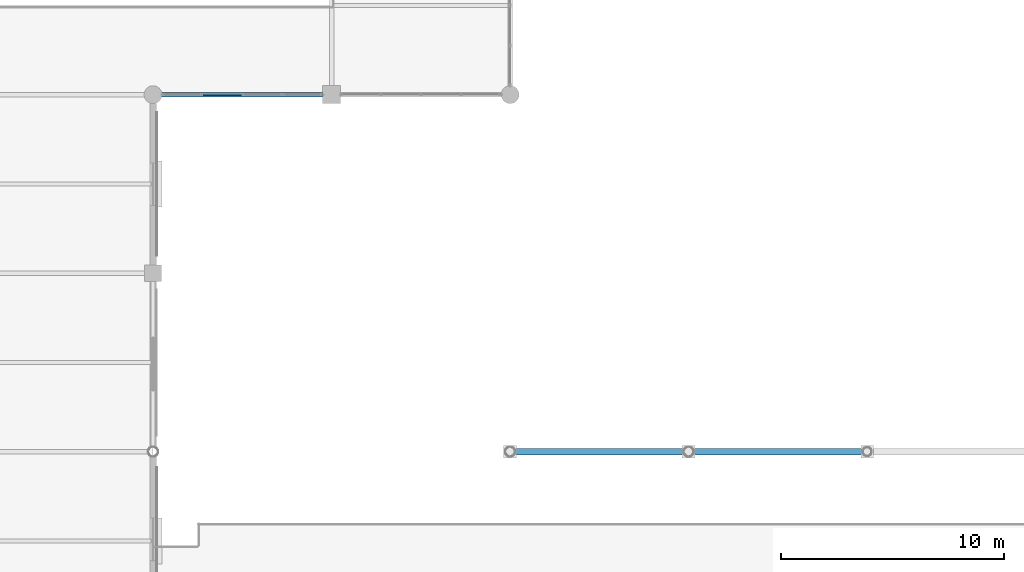
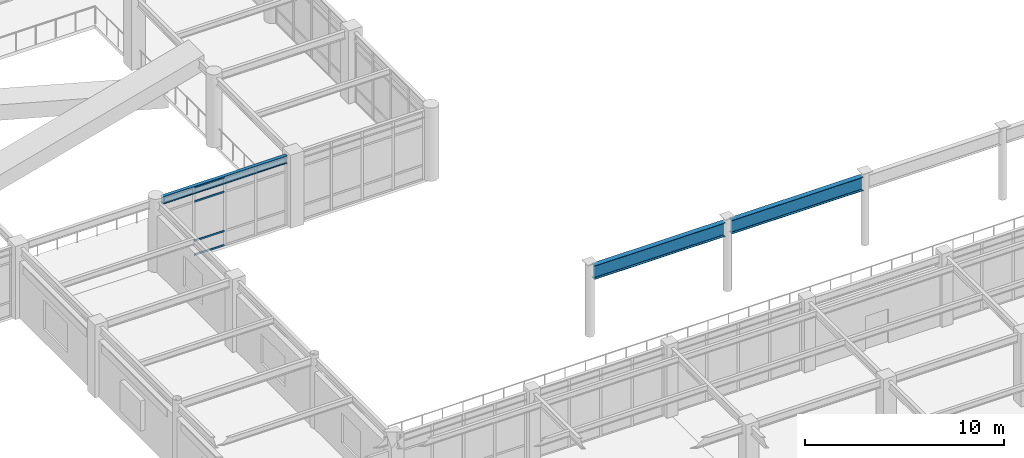
# One storey, part 30 of 78: 4 members, 3 beams, 1 element without a shape of its own.
"""IFC4 building model written with IfcOpenShell, lengths in metres."""

from ifc_helpers import new_model, si_unit, direction, frame, origin, origin_2d, place, context, subcontext, project, spatial, hollow_rectangle, i_section, extrude, material, material_profile, profile_set, type_object, element, aggregate, save


model = new_model("IFC4")

# Units and contexts
model_context = context("Model", 3, precision=1e-05, world=origin(), true_north=direction((0.0, 1.0)))
body_context = subcontext(model_context, "Body", "Model", "MODEL_VIEW")
ifc_project = project(units=[si_unit("LENGTHUNIT", "METRE"), si_unit("AREAUNIT", "SQUARE_METRE"), si_unit("VOLUMEUNIT", "CUBIC_METRE"), si_unit("PLANEANGLEUNIT", "RADIAN"), si_unit("MASSUNIT", "GRAM", prefix="KILO")], contexts=[model_context])

# Site, building, storey
site_placement = place(None, origin())
site = spatial("IfcSite", under=ifc_project, at=site_placement, CompositionType="ELEMENT")
building_placement = place(site_placement, origin())
building = spatial("IfcBuilding", under=site, at=building_placement, Name="Solmirada Galleria", CompositionType="ELEMENT")
storey_placement = place(building_placement, frame((0.0, 0.0, 23.89990234375)))
storey = spatial("IfcBuildingStorey", under=building, at=storey_placement, Name="L05", CompositionType="ELEMENT", Elevation=23.89990234375)

# Beams
ifc_material_1 = material(Name="Steel S355 / ASTM A992 Grade 50", Category="steel")
ifc_material_profile_1 = material_profile(ifc_material_1, i_section(OverallWidth=0.194091796875, OverallDepth=0.468994140625, WebThickness=0.0126953125, FlangeThickness=0.0205078125, FilletRadius=0.013916015625, at=origin_2d()), Name="W18X71")
ifc_profile_set_1 = profile_set([ifc_material_profile_1], Name="Steel S355 / ASTM A992 Grade 50")
beam_type_1 = type_object("IfcBeamType", Name="BM-GIRD-W18B", PredefinedType="BEAM", material=ifc_profile_set_1)
beam_1_placement = place(storey_placement, frame((96.3359375, 48.0, 4.065673828125), z_axis=(1.0, 0.0, 0.0), x_axis=(0.0, 1.0, 0.0)))
element("IfcBeam", 1, at=beam_1_placement, inside=storey, type_object=beam_type_1, Name="Primary beam L06 X(96..104, 48)", PredefinedType="BEAM", context=body_context, shape_type="SweptSolid", body=[
    extrude(i_section(OverallWidth=0.194091796875, OverallDepth=0.468994140625, WebThickness=0.0126953125, FlangeThickness=0.0205078125, FilletRadius=0.013916015625, at=origin_2d()), origin(), (0.0, 0.0, 1.0), 7.26416015625),
])
ifc_material_profile_2 = material_profile(ifc_material_1, i_section(OverallWidth=0.2919921875, OverallDepth=0.841064453125, WebThickness=0.0146484375, FlangeThickness=0.021728515625, FilletRadius=0.01904296875, at=origin_2d()), Name="W33X130")
ifc_profile_set_2 = profile_set([ifc_material_profile_2], Name="Steel S355 / ASTM A992 Grade 50")
beam_type_2 = type_object("IfcBeamType", Name="BM-VAULT-RING3", PredefinedType="BEAM", material=ifc_profile_set_2)
beam_2_placement = place(storey_placement, frame((112.19189453125, 32.0, 3.819580078125), z_axis=(1.0, 0.0, 0.0), x_axis=(0.0, 1.0, 0.0)))
element("IfcBeam", 2, at=beam_2_placement, inside=storey, type_object=beam_type_2, Name="Barrel vault springing collector girder S X=112..120", PredefinedType="BEAM", context=body_context, shape_type="SweptSolid", body=[
    extrude(i_section(OverallWidth=0.2919921875, OverallDepth=0.841064453125, WebThickness=0.0146484375, FlangeThickness=0.021728515625, FilletRadius=0.01904296875, at=origin_2d()), origin(), (0.0, 0.0, 1.0), 7.6162109375),
])
beam_3_placement = place(storey_placement, frame((120.19189453125, 32.0, 3.819580078125), z_axis=(1.0, 0.0, 0.0), x_axis=(0.0, 1.0, 0.0)))
element("IfcBeam", 3, at=beam_3_placement, inside=storey, type_object=beam_type_2, Name="Barrel vault springing collector girder S X=120..128", PredefinedType="BEAM", context=body_context, shape_type="SweptSolid", body=[
    extrude(i_section(OverallWidth=0.2919921875, OverallDepth=0.841064453125, WebThickness=0.0146484375, FlangeThickness=0.021728515625, FilletRadius=0.01904296875, at=origin_2d()), origin(), (0.0, 0.0, 1.0), 7.6376953125),
])

# Curtain wall, members
ifc_material_2 = material(Name="Impact-resistant low-E double glazing", Category="glass")
curtain_wall_type = type_object("IfcCurtainWallType", Name="CW-FZ3-L05-B4-L072", PredefinedType="NOTDEFINED", material=ifc_material_2)
curtain_wall_placement = place(storey_placement, origin())
curtain_wall = element("IfcCurtainWall", 4, at=curtain_wall_placement, inside=storey, type_object=curtain_wall_type, Name="Terrace and arcade storefront CW-L05-180", PredefinedType="NOTDEFINED")
ifc_material_3 = material(Name="Anodised aluminium framing", Category="aluminium")
ifc_material_profile_3 = material_profile(ifc_material_3, hollow_rectangle(XDim=0.06005859375, YDim=0.110107421875, WallThickness=0.003173828125, InnerFilletRadius=0.003173828125, OuterFilletRadius=0.00634765625, at=origin_2d()), Name="ALU-TRAN-110X60")
ifc_profile_set_3 = profile_set([ifc_material_profile_3], Name="Anodised aluminium framing")
member_type = type_object("IfcMemberType", Name="CW-TRAN-110", PredefinedType="USERDEFINED", material=ifc_profile_set_3)
member_1_placement = place(storey_placement, frame((99.969970703125, 48.0, 0.030029296875), z_axis=(-1.0, 0.0, 0.0), x_axis=(0.0, -1.0, 0.0)))
member_1 = element("IfcMember", 5, at=member_1_placement, type_object=member_type, Name="CW33 transom 3.1", ObjectType="TRANSOM", PredefinedType="USERDEFINED", context=body_context, shape_type="SweptSolid", body=[
    extrude(hollow_rectangle(XDim=0.06005859375, YDim=0.110107421875, WallThickness=0.003173828125, InnerFilletRadius=0.003173828125, OuterFilletRadius=0.00634765625, at=origin_2d()), origin(), (0.0, 0.0, 1.0), 1.739013671875),
])
member_2_placement = place(storey_placement, frame((99.969970703125, 48.0, 0.900146484375), z_axis=(-1.0, 0.0, 0.0), x_axis=(0.0, -1.0, 0.0)))
member_2 = element("IfcMember", 6, at=member_2_placement, type_object=member_type, Name="CW33 transom 3.2", ObjectType="TRANSOM", PredefinedType="USERDEFINED", context=body_context, shape_type="SweptSolid", body=[
    extrude(hollow_rectangle(XDim=0.06005859375, YDim=0.110107421875, WallThickness=0.003173828125, InnerFilletRadius=0.003173828125, OuterFilletRadius=0.00634765625, at=origin_2d()), origin(), (0.0, 0.0, 1.0), 1.739013671875),
])
member_3_placement = place(storey_placement, frame((99.969970703125, 48.0, 3.31005859375), z_axis=(-1.0, 0.0, 0.0), x_axis=(0.0, -1.0, 0.0)))
member_3 = element("IfcMember", 7, at=member_3_placement, type_object=member_type, Name="CW33 transom 3.3", ObjectType="TRANSOM", PredefinedType="USERDEFINED", context=body_context, shape_type="SweptSolid", body=[
    extrude(hollow_rectangle(XDim=0.06005859375, YDim=0.110107421875, WallThickness=0.003173828125, InnerFilletRadius=0.003173828125, OuterFilletRadius=0.00634765625, at=origin_2d()), origin(), (0.0, 0.0, 1.0), 1.739013671875),
])
member_4_placement = place(storey_placement, frame((99.969970703125, 48.0, 4.190185546875), z_axis=(-1.0, 0.0, 0.0), x_axis=(0.0, -1.0, 0.0)))
member_4 = element("IfcMember", 8, at=member_4_placement, type_object=member_type, Name="CW33 transom 3.4", ObjectType="TRANSOM", PredefinedType="USERDEFINED", context=body_context, shape_type="SweptSolid", body=[
    extrude(hollow_rectangle(XDim=0.06005859375, YDim=0.110107421875, WallThickness=0.003173828125, InnerFilletRadius=0.003173828125, OuterFilletRadius=0.00634765625, at=origin_2d()), origin(), (0.0, 0.0, 1.0), 1.739013671875),
])
aggregate(curtain_wall, [member_1, member_2, member_3, member_4])

save(model, "model.ifc")
